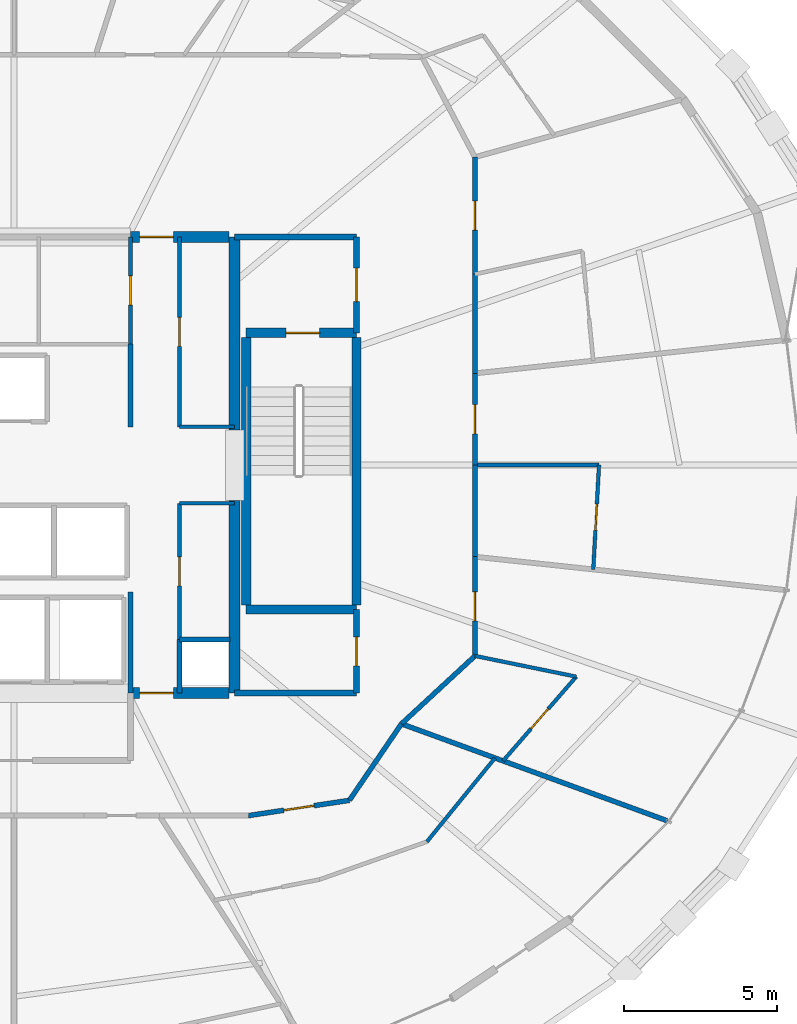
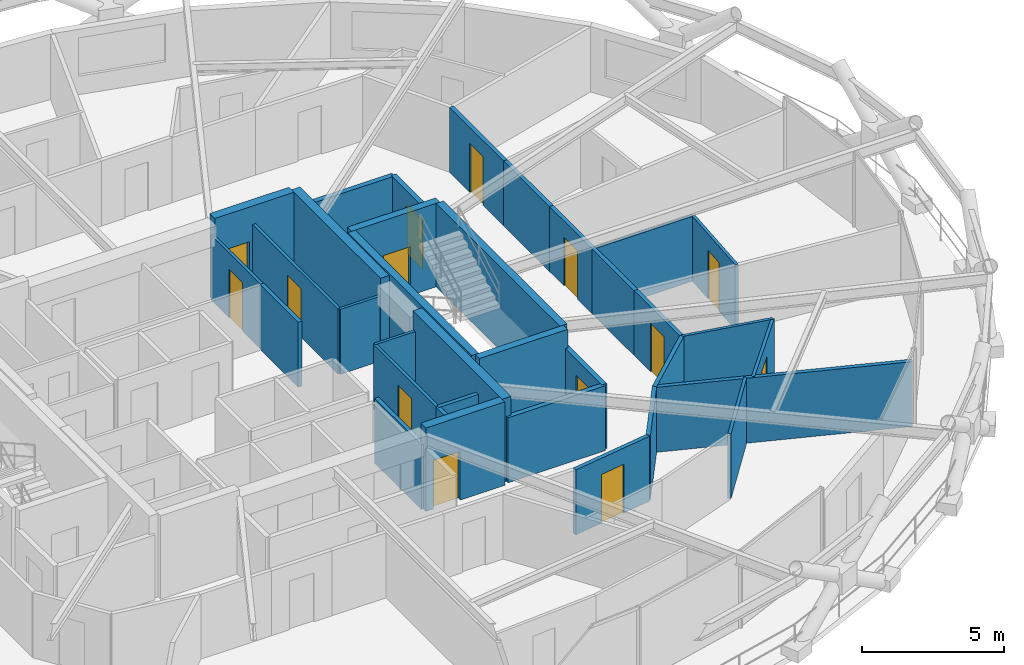
# One storey, part 16 of 19: 35 walls, 14 doors, 14 openings.
"""IFC4 building model written with IfcOpenShell, lengths in metres."""

from ifc_helpers import new_model, si_unit, direction, frame, frame_2d, origin, place, context, subcontext, project, spatial, rectangle, extrude, material, layer, layer_set, type_object, element, fill, save


model = new_model("IFC4")

# Units and contexts
model_context = context("Model", 3, precision=1e-05, world=origin(), true_north=direction((0.0, 1.0)))
body_context = subcontext(model_context, "Body", "Model", "MODEL_VIEW")
ifc_project = project(units=[si_unit("LENGTHUNIT", "METRE"), si_unit("AREAUNIT", "SQUARE_METRE"), si_unit("VOLUMEUNIT", "CUBIC_METRE"), si_unit("PLANEANGLEUNIT", "RADIAN"), si_unit("MASSUNIT", "GRAM", prefix="KILO")], contexts=[model_context])

# Site, building, storey
site_placement = place(None, origin())
site = spatial("IfcSite", under=ifc_project, at=site_placement, CompositionType="ELEMENT")
building_placement = place(site_placement, origin())
building = spatial("IfcBuilding", under=site, at=building_placement, Name="Veldorina Hangang Commons", CompositionType="ELEMENT")
storey_placement = place(building_placement, frame((0.0, 0.0, 156.800048828125)))
storey = spatial("IfcBuildingStorey", under=building, at=storey_placement, Name="L40", CompositionType="ELEMENT", Elevation=156.800048828125)

# Walls
ifc_material_1 = material(Name="Concrete C60/75", Category="concrete")
ifc_layer_1 = layer(ifc_material_1, 0.360107421875)
ifc_layer_set_1 = layer_set([ifc_layer_1], Name="Concrete C60/75")
wall_type_1 = type_object("IfcWallType", Name="CW-RC360-C60", PredefinedType="SHEAR", material=ifc_layer_set_1)
for number, where, z_axis, x_axis, name in (
    (1, (39.199951171875, 16.550048828125, 0.0), (0.0, 0.0, 1.0), (0.0, 1.0, 0.0), "L40 E south core shear wall"),
    (2, (39.199951171875, 25.14990234375, 0.0), (0.0, 0.0, 1.0), (0.0, 1.0, 0.0), "L40 E north core shear wall"),
):
    element("IfcWall", number, at=place(storey_placement, frame(where, z_axis=z_axis, x_axis=x_axis)), inside=storey, type_object=wall_type_1, Name=name, PredefinedType="SHEAR", context=body_context, shape_type="SweptSolid", body=[
        extrude(rectangle(XDim=6.300048828125, YDim=0.360107421875, at=frame_2d((3.14990234375, 0.0))), origin(), (0.0, 0.0, 1.0), 3.599853515625),
    ])

# Wall, opening, door
wall_1_placement = place(storey_placement, frame((35.800048828125, 16.550048828125, 0.0), z_axis=(0.0, 0.0, 1.0), x_axis=(1.0, 0.0, 0.0)))
wall_1 = element("IfcWall", 3, at=wall_1_placement, inside=storey, type_object=wall_type_1, Name="L40 south-east core shear wall", PredefinedType="SHEAR", context=body_context, shape_type="SweptSolid", body=[
    extrude(rectangle(XDim=3.219970703125, YDim=0.360107421875, at=frame_2d((1.60986328125, 0.0))), origin(), (0.0, 0.0, 1.0), 3.599853515625),
])
opening_1_placement = place(wall_1_placement, frame((0.300048828125, 0.0, 0.0)))
opening_1 = element("IfcOpeningElement", 4, at=opening_1_placement, cuts=wall_1, Name="Opening D-08", PredefinedType="OPENING", context=body_context, shape_type="SweptSolid", body=[
    extrude(rectangle(XDim=1.10009765625, YDim=2.10009765625, at=frame_2d((0.550048828125, 1.050048828125))), frame((0.0, 0.18994140625, 0.0), z_axis=(0.0, -1.0, 0.0), x_axis=(1.0, 0.0, 0.0)), (0.0, 0.0, 1.0), 0.380126953125),
])
ifc_material_2 = material(Name="Steel Fire-Rated Smoke Seal", Category="steel")
door_type_1 = type_object("IfcDoorType", Name="DR-FIRE-1100", OperationType="SINGLE_SWING_RIGHT", PredefinedType="DOOR", material=ifc_material_2)
door_1_placement = place(opening_1_placement, origin())
door_1 = element("IfcDoor", 5, at=door_1_placement, inside=storey, type_object=door_type_1, Name="L40 central lift lobby south corridor door", OperationType="SINGLE_SWING_RIGHT", OverallHeight=2.10009765625, OverallWidth=1.10009765625, PredefinedType="DOOR", context=body_context, shape_type="SweptSolid", body=[
    extrude(rectangle(XDim=1.10009765625, YDim=2.10009765625, at=frame_2d((0.550048828125, 1.050048828125))), frame((0.0, 0.02490234375, 0.0), z_axis=(0.0, -1.0, 0.0), x_axis=(1.0, 0.0, 0.0)), (0.0, 0.0, 1.0), 0.050048828125),
])
fill(opening_1, door_1)

wall_2_placement = place(storey_placement, frame((35.800048828125, 31.449951171875, 0.0), z_axis=(0.0, 0.0, 1.0), x_axis=(1.0, 0.0, 0.0)))
wall_2 = element("IfcWall", 6, at=wall_2_placement, inside=storey, type_object=wall_type_1, Name="L40 north-east core shear wall", PredefinedType="SHEAR", context=body_context, shape_type="SweptSolid", body=[
    extrude(rectangle(XDim=3.219970703125, YDim=0.360107421875, at=frame_2d((1.60986328125, 0.0))), origin(), (0.0, 0.0, 1.0), 3.599853515625),
])
opening_2_placement = place(wall_2_placement, frame((0.300048828125, 0.0, 0.0)))
opening_2 = element("IfcOpeningElement", 7, at=opening_2_placement, cuts=wall_2, Name="Opening D-08", PredefinedType="OPENING", context=body_context, shape_type="SweptSolid", body=[
    extrude(rectangle(XDim=1.10009765625, YDim=2.10009765625, at=frame_2d((0.550048828125, 1.050048828125))), frame((0.0, 0.18994140625, 0.0), z_axis=(0.0, -1.0, 0.0), x_axis=(1.0, 0.0, 0.0)), (0.0, 0.0, 1.0), 0.380126953125),
])
door_2_placement = place(opening_2_placement, origin())
door_2 = element("IfcDoor", 8, at=door_2_placement, inside=storey, type_object=door_type_1, Name="L40 central lift lobby north corridor door", OperationType="SINGLE_SWING_LEFT", OverallHeight=2.10009765625, OverallWidth=1.10009765625, PredefinedType="DOOR", context=body_context, shape_type="SweptSolid", body=[
    extrude(rectangle(XDim=1.10009765625, YDim=2.10009765625, at=frame_2d((0.550048828125, 1.050048828125))), frame((0.0, 0.02490234375, 0.0), z_axis=(0.0, -1.0, 0.0), x_axis=(1.0, 0.0, 0.0)), (0.0, 0.0, 1.0), 0.050048828125),
])
fill(opening_2, door_2)

# Walls
ifc_material_3 = material(Name="Concrete C50/60", Category="concrete")
ifc_layer_2 = layer(ifc_material_3, 0.300048828125)
ifc_layer_set_2 = layer_set([ifc_layer_2], Name="Concrete C50/60")
wall_type_2 = type_object("IfcWallType", Name="SW-STAIR-300", PredefinedType="SHEAR", material=ifc_layer_set_2)
for number, where, z_axis, x_axis, name in (
    (9, (43.179931640625, 19.429931640625, 0.0), (0.0, 0.0, 1.0), (0.0, 1.0, 0.0), "L40 ST2 outer stair shear wall"),
    (10, (39.580078125, 19.429931640625, 0.0), (0.0, 0.0, 1.0), (0.0, 1.0, 0.0), "L40 ST2 inner stair shear wall"),
):
    element("IfcWall", number, at=place(storey_placement, frame(where, z_axis=z_axis, x_axis=x_axis)), inside=storey, type_object=wall_type_2, Name=name, PredefinedType="SHEAR", context=body_context, shape_type="SweptSolid", body=[
        extrude(rectangle(XDim=8.739990234375, YDim=0.300048828125, at=frame_2d((4.3701171875, 0.0))), origin(), (0.0, 0.0, 1.0), 3.599853515625),
    ])
wall_3_placement = place(storey_placement, frame((39.580078125, 19.280029296875, 0.0), z_axis=(0.0, 0.0, 1.0), x_axis=(1.0, 0.0, 0.0)))
element("IfcWall", 11, at=wall_3_placement, inside=storey, type_object=wall_type_2, Name="L40 ST2 south stair shear wall", PredefinedType="SHEAR", context=body_context, shape_type="SweptSolid", body=[
    extrude(rectangle(XDim=3.599853515625, YDim=0.300048828125, at=frame_2d((1.7998046875, 0.0))), origin(), (0.0, 0.0, 1.0), 3.599853515625),
])

# Wall, opening, door
wall_4_placement = place(storey_placement, frame((39.580078125, 28.320068359375, 0.0), z_axis=(0.0, 0.0, 1.0), x_axis=(1.0, 0.0, 0.0)))
wall_4 = element("IfcWall", 12, at=wall_4_placement, inside=storey, type_object=wall_type_2, Name="L40 ST2 north stair shear wall", PredefinedType="SHEAR", context=body_context, shape_type="SweptSolid", body=[
    extrude(rectangle(XDim=3.599853515625, YDim=0.300048828125, at=frame_2d((1.7998046875, 0.0))), origin(), (0.0, 0.0, 1.0), 3.599853515625),
])
opening_3_placement = place(wall_4_placement, frame((1.300048828125, 0.0, 0.0)))
opening_3 = element("IfcOpeningElement", 13, at=opening_3_placement, cuts=wall_4, Name="Opening D-08", PredefinedType="OPENING", context=body_context, shape_type="SweptSolid", body=[
    extrude(rectangle(XDim=1.10009765625, YDim=2.10009765625, at=frame_2d((0.550048828125, 1.050048828125))), frame((0.0, 0.16015625, 0.0), z_axis=(0.0, -1.0, 0.0), x_axis=(1.0, 0.0, 0.0)), (0.0, 0.0, 1.0), 0.320068359375),
])
door_3_placement = place(opening_3_placement, origin())
door_3 = element("IfcDoor", 14, at=door_3_placement, inside=storey, type_object=door_type_1, Name="L40 Special Escape Stair ST-2 door", OperationType="SINGLE_SWING_RIGHT", OverallHeight=2.10009765625, OverallWidth=1.10009765625, PredefinedType="DOOR", context=body_context, shape_type="SweptSolid", body=[
    extrude(rectangle(XDim=1.10009765625, YDim=2.10009765625, at=frame_2d((0.550048828125, 1.050048828125))), frame((0.0, 0.02490234375, 0.0), z_axis=(0.0, -1.0, 0.0), x_axis=(1.0, 0.0, 0.0)), (0.0, 0.0, 1.0), 0.050048828125),
])
fill(opening_3, door_3)

# Walls
ifc_material_4 = material(Name="Gypsum Fire-Rated Twin Stud Wall", Category="gypsum")
ifc_layer_3 = layer(ifc_material_4, 0.159912109375)
ifc_layer_set_3 = layer_set([ifc_layer_3], Name="Gypsum Fire-Rated Twin Stud Wall")
wall_type_3 = type_object("IfcWallType", Name="WL-FIRE-160", PredefinedType="SOLIDWALL", material=ifc_layer_set_3)
wall_5_placement = place(storey_placement, frame((35.800048828125, 16.550048828125, 0.0), z_axis=(0.0, 0.0, 1.0), x_axis=(0.0, 1.0, 0.0)))
element("IfcWall", 15, at=wall_5_placement, inside=storey, type_object=wall_type_3, Name="L40 Lift passage SW wall 009", PredefinedType="SOLIDWALL", context=body_context, shape_type="SweptSolid", body=[
    extrude(rectangle(XDim=3.300048828125, YDim=0.159912109375, at=frame_2d((1.64990234375, 0.0))), origin(), (0.0, 0.0, 1.0), 2.800048828125),
])
wall_6_placement = place(storey_placement, frame((37.39990234375, 16.550048828125, 0.0), z_axis=(0.0, 0.0, 1.0), x_axis=(0.0, 1.0, 0.0)))
element("IfcWall", 16, at=wall_6_placement, inside=storey, type_object=wall_type_3, Name="L40 Lift passage SE stub 010", PredefinedType="SOLIDWALL", context=body_context, shape_type="SweptSolid", body=[
    extrude(rectangle(XDim=1.75, YDim=0.159912109375, at=frame_2d((0.875, 0.0))), origin(), (0.0, 0.0, 1.0), 2.800048828125),
])
wall_7_placement = place(storey_placement, frame((35.800048828125, 25.25, 0.0), z_axis=(0.0, 0.0, 1.0), x_axis=(0.0, 1.0, 0.0)))
element("IfcWall", 17, at=wall_7_placement, inside=storey, type_object=wall_type_3, Name="L40 Lift passage NW lower wall 011", PredefinedType="SOLIDWALL", context=body_context, shape_type="SweptSolid", body=[
    extrude(rectangle(XDim=2.699951171875, YDim=0.159912109375, at=frame_2d((1.35009765625, 0.0))), origin(), (0.0, 0.0, 1.0), 2.800048828125),
])
wall_8_placement = place(storey_placement, frame((37.39990234375, 18.300048828125, 0.0), z_axis=(0.0, 0.0, 1.0), x_axis=(1.0, 0.0, 0.0)))
element("IfcWall", 18, at=wall_8_placement, inside=storey, type_object=wall_type_3, Name="L40 Plumbing riser wall 037", PredefinedType="SOLIDWALL", context=body_context, shape_type="SweptSolid", body=[
    extrude(rectangle(XDim=1.650146484375, YDim=0.159912109375, at=frame_2d((0.8251953125, 0.0))), origin(), (0.0, 0.0, 1.0), 2.800048828125),
])

# Wall, opening, door
wall_9_placement = place(storey_placement, frame((47.050048828125, 24.0, 0.0), z_axis=(0.0, 0.0, 1.0), x_axis=(0.0, 1.0, 0.0)))
wall_9 = element("IfcWall", 19, at=wall_9_placement, inside=storey, type_object=wall_type_3, Name="L40 U-corridor outer wall 00 048", PredefinedType="SOLIDWALL", context=body_context, shape_type="SweptSolid", body=[
    extrude(rectangle(XDim=2.99365234375, YDim=0.159912109375, at=frame_2d((1.496826171875, 0.0))), origin(), (0.0, 0.0, 1.0), 2.800048828125),
])
opening_4_placement = place(wall_9_placement, frame((1.021728515625, 0.0, 0.0)))
opening_4 = element("IfcOpeningElement", 20, at=opening_4_placement, cuts=wall_9, Name="Opening D-03", PredefinedType="OPENING", context=body_context, shape_type="SweptSolid", body=[
    extrude(rectangle(XDim=0.949951171875, YDim=2.10009765625, at=frame_2d((0.47509765625, 1.050048828125))), frame((0.0, 0.08984375, 0.0), z_axis=(0.0, -1.0, 0.0), x_axis=(1.0, 0.0, 0.0)), (0.0, 0.0, 1.0), 0.179931640625),
])
ifc_material_5 = material(Name="Timber Fire-Rated Entrance Core", Category="wood")
door_type_2 = type_object("IfcDoorType", Name="DR-UNIT-950", OperationType="SINGLE_SWING_RIGHT", PredefinedType="DOOR", material=ifc_material_5)
door_4_placement = place(opening_4_placement, origin())
door_4 = element("IfcDoor", 21, at=door_4_placement, inside=storey, type_object=door_type_2, Name="L40 Studio 3 entrance door 025", OperationType="SINGLE_SWING_LEFT", OverallHeight=2.10009765625, OverallWidth=0.949951171875, PredefinedType="DOOR", context=body_context, shape_type="SweptSolid", body=[
    extrude(rectangle(XDim=0.949951171875, YDim=2.10009765625, at=frame_2d((0.47509765625, 1.050048828125))), frame((0.0, 0.02490234375, 0.0), z_axis=(0.0, -1.0, 0.0), x_axis=(1.0, 0.0, 0.0)), (0.0, 0.0, 1.0), 0.050048828125),
])
fill(opening_4, door_4)

# Wall
wall_10_placement = place(storey_placement, frame((47.050048828125, 26.99365234375, 0.0), z_axis=(0.0, 0.0, 1.0), x_axis=(0.0, 1.0, 0.0)))
element("IfcWall", 22, at=wall_10_placement, inside=storey, type_object=wall_type_3, Name="L40 U-corridor outer wall 01 049", PredefinedType="SOLIDWALL", context=body_context, shape_type="SweptSolid", body=[
    extrude(rectangle(XDim=3.240234375, YDim=0.159912109375, at=frame_2d((1.6201171875, 0.0))), origin(), (0.0, 0.0, 1.0), 2.800048828125),
])

# Wall, opening, door
wall_11_placement = place(storey_placement, frame((47.050048828125, 30.23388671875, 0.0), z_axis=(0.0, 0.0, 1.0), x_axis=(0.0, 1.0, 0.0)))
wall_11 = element("IfcWall", 23, at=wall_11_placement, inside=storey, type_object=wall_type_3, Name="L40 U-corridor outer wall 02 050", PredefinedType="SOLIDWALL", context=body_context, shape_type="SweptSolid", body=[
    extrude(rectangle(XDim=3.822265625, YDim=0.159912109375, at=frame_2d((1.9111328125, 0.0))), origin(), (0.0, 0.0, 1.0), 2.800048828125),
])
opening_5_placement = place(wall_11_placement, frame((1.43603515625, 0.0, 0.0)))
opening_5 = element("IfcOpeningElement", 24, at=opening_5_placement, cuts=wall_11, Name="Opening D-03", PredefinedType="OPENING", context=body_context, shape_type="SweptSolid", body=[
    extrude(rectangle(XDim=0.949951171875, YDim=2.10009765625, at=frame_2d((0.47509765625, 1.050048828125))), frame((0.0, 0.08984375, 0.0), z_axis=(0.0, -1.0, 0.0), x_axis=(1.0, 0.0, 0.0)), (0.0, 0.0, 1.0), 0.179931640625),
])
door_5_placement = place(opening_5_placement, origin())
door_5 = element("IfcDoor", 25, at=door_5_placement, inside=storey, type_object=door_type_2, Name="L40 Studio 4 entrance door 027", OperationType="SINGLE_SWING_LEFT", OverallHeight=2.10009765625, OverallWidth=0.949951171875, PredefinedType="DOOR", context=body_context, shape_type="SweptSolid", body=[
    extrude(rectangle(XDim=0.949951171875, YDim=2.10009765625, at=frame_2d((0.47509765625, 1.050048828125))), frame((0.0, 0.02490234375, 0.0), z_axis=(0.0, -1.0, 0.0), x_axis=(1.0, 0.0, 0.0)), (0.0, 0.0, 1.0), 0.050048828125),
])
fill(opening_5, door_5)

wall_12_placement = place(storey_placement, frame((39.650634765625, 12.550048828125, 0.0), z_axis=(0.0, 0.0, 1.0), x_axis=(0.988710906508, 0.149835721217, 0.0)))
wall_12 = element("IfcWall", 26, at=wall_12_placement, inside=storey, type_object=wall_type_3, Name="L40 U-corridor outer wall 27 075", PredefinedType="SOLIDWALL", context=body_context, shape_type="SweptSolid", body=[
    extrude(rectangle(XDim=3.3369140625, YDim=0.159912109375, at=frame_2d((1.66845703125, 0.0))), origin(), (0.0, 0.0, 1.0), 2.800048828125),
])
opening_6_placement = place(wall_12_placement, frame((1.16845703125, 0.0, 0.0)))
opening_6 = element("IfcOpeningElement", 27, at=opening_6_placement, cuts=wall_12, Name="Opening D-05", PredefinedType="OPENING", context=body_context, shape_type="SweptSolid", body=[
    extrude(rectangle(XDim=1.0, YDim=2.10009765625, at=frame_2d((0.5, 1.050048828125))), frame((0.0, 0.08984375, 0.0), z_axis=(0.0, -1.0, 0.0), x_axis=(1.0, 0.0, 0.0)), (0.0, 0.0, 1.0), 0.179931640625),
])
ifc_material_6 = material(Name="Timber Solid Core Acoustic", Category="wood")
door_type_3 = type_object("IfcDoorType", Name="DR-INT-1000", OperationType="SINGLE_SWING_RIGHT", PredefinedType="DOOR", material=ifc_material_6)
door_6_placement = place(opening_6_placement, origin())
door_6 = element("IfcDoor", 28, at=door_6_placement, inside=storey, type_object=door_type_3, Name="L40 Commons alcove door 020", OperationType="SINGLE_SWING_RIGHT", OverallHeight=2.10009765625, OverallWidth=1.0, PredefinedType="DOOR", context=body_context, shape_type="SweptSolid", body=[
    extrude(rectangle(XDim=1.0, YDim=2.10009765625, at=frame_2d((0.5, 1.050048828125))), frame((0.0, 0.02490234375, 0.0), z_axis=(0.0, -1.0, 0.0), x_axis=(1.0, 0.0, 0.0)), (0.0, 0.0, 1.0), 0.050048828125),
])
fill(opening_6, door_6)

# Walls
wall_13_placement = place(storey_placement, frame((42.949951171875, 13.050048828125, 0.0), z_axis=(0.0, 0.0, 1.0), x_axis=(0.562674669208, 0.826678423955, 0.0)))
element("IfcWall", 29, at=wall_13_placement, inside=storey, type_object=wall_type_3, Name="L40 U-corridor outer wall 28 076", PredefinedType="SOLIDWALL", context=body_context, shape_type="SweptSolid", body=[
    extrude(rectangle(XDim=3.021240234375, YDim=0.159912109375, at=frame_2d((1.5107421875, 0.0))), origin(), (0.0, 0.0, 1.0), 2.800048828125),
])
wall_14_placement = place(storey_placement, frame((44.64990234375, 15.547607421875, 0.0), z_axis=(0.0, 0.0, 1.0), x_axis=(0.734347936521, 0.678773237633, 0.0)))
element("IfcWall", 30, at=wall_14_placement, inside=storey, type_object=wall_type_3, Name="L40 U-corridor outer wall 29 077", PredefinedType="SOLIDWALL", context=body_context, shape_type="SweptSolid", body=[
    extrude(rectangle(XDim=3.268310546875, YDim=0.159912109375, at=frame_2d((1.63427734375, 0.0))), origin(), (0.0, 0.0, 1.0), 2.800048828125),
])

# Wall, opening, door
wall_15_placement = place(storey_placement, frame((47.050048828125, 17.76611328125, 0.0), z_axis=(0.0, 0.0, 1.0), x_axis=(0.0, 1.0, 0.0)))
wall_15 = element("IfcWall", 31, at=wall_15_placement, inside=storey, type_object=wall_type_3, Name="L40 U-corridor outer wall 30 078", PredefinedType="SOLIDWALL", context=body_context, shape_type="SweptSolid", body=[
    extrude(rectangle(XDim=3.240234375, YDim=0.159912109375, at=frame_2d((1.6201171875, 0.0))), origin(), (0.0, 0.0, 1.0), 2.800048828125),
])
opening_7_placement = place(wall_15_placement, frame((1.145263671875, 0.0, 0.0)))
opening_7 = element("IfcOpeningElement", 32, at=opening_7_placement, cuts=wall_15, Name="Opening D-03", PredefinedType="OPENING", context=body_context, shape_type="SweptSolid", body=[
    extrude(rectangle(XDim=0.949951171875, YDim=2.10009765625, at=frame_2d((0.47509765625, 1.050048828125))), frame((0.0, 0.08984375, 0.0), z_axis=(0.0, -1.0, 0.0), x_axis=(1.0, 0.0, 0.0)), (0.0, 0.0, 1.0), 0.179931640625),
])
door_7_placement = place(opening_7_placement, origin())
door_7 = element("IfcDoor", 33, at=door_7_placement, inside=storey, type_object=door_type_2, Name="L40 Studio 2 entrance door 023", OperationType="SINGLE_SWING_LEFT", OverallHeight=2.10009765625, OverallWidth=0.949951171875, PredefinedType="DOOR", context=body_context, shape_type="SweptSolid", body=[
    extrude(rectangle(XDim=0.949951171875, YDim=2.10009765625, at=frame_2d((0.47509765625, 1.050048828125))), frame((0.0, 0.02490234375, 0.0), z_axis=(0.0, -1.0, 0.0), x_axis=(1.0, 0.0, 0.0)), (0.0, 0.0, 1.0), 0.050048828125),
])
fill(opening_7, door_7)

# Walls
wall_16_placement = place(storey_placement, frame((47.050048828125, 21.00634765625, 0.0), z_axis=(0.0, 0.0, 1.0), x_axis=(0.0, 1.0, 0.0)))
element("IfcWall", 34, at=wall_16_placement, inside=storey, type_object=wall_type_3, Name="L40 U-corridor outer wall 31 079", PredefinedType="SOLIDWALL", context=body_context, shape_type="SweptSolid", body=[
    extrude(rectangle(XDim=2.99365234375, YDim=0.159912109375, at=frame_2d((1.496826171875, 0.0))), origin(), (0.0, 0.0, 1.0), 2.800048828125),
])
wall_17_placement = place(storey_placement, frame((44.64990234375, 15.547607421875, 0.0), z_axis=(0.0, 0.0, 1.0), x_axis=(0.939495403678, -0.342561507568, 0.0)))
element("IfcWall", 35, at=wall_17_placement, inside=storey, type_object=wall_type_3, Name="L40 Unit party wall 29 084", PredefinedType="SOLIDWALL", context=body_context, shape_type="SweptSolid", body=[
    extrude(rectangle(XDim=9.24365234375, YDim=0.159912109375, at=frame_2d((4.621826171875, 0.0))), origin(), (0.0, 0.0, 1.0), 2.800048828125),
])

# Wall, opening, door
ifc_material_7 = material(Name="Concrete Blockwork Fire Wall C30/37", Category="masonry")
ifc_layer_4 = layer(ifc_material_7, 0.199951171875)
ifc_layer_set_4 = layer_set([ifc_layer_4], Name="Concrete Blockwork Fire Wall C30/37")
wall_type_4 = type_object("IfcWallType", Name="WL-FIRE-200", PredefinedType="SOLIDWALL", material=ifc_layer_set_4)
wall_18_placement = place(storey_placement, frame((43.179931640625, 28.320068359375, 0.0), z_axis=(0.0, 0.0, 1.0), x_axis=(0.0, 1.0, 0.0)))
wall_18 = element("IfcWall", 36, at=wall_18_placement, inside=storey, type_object=wall_type_4, Name="L40 East vestibule outer wall 003", PredefinedType="SOLIDWALL", context=body_context, shape_type="SweptSolid", body=[
    extrude(rectangle(XDim=3.1298828125, YDim=0.199951171875, at=frame_2d((1.56494140625, 0.0))), origin(), (0.0, 0.0, 1.0), 2.800048828125),
])
opening_8_placement = place(wall_18_placement, frame((1.014892578125, 0.0, 0.0)))
opening_8 = element("IfcOpeningElement", 37, at=opening_8_placement, cuts=wall_18, Name="Opening D-08", PredefinedType="OPENING", context=body_context, shape_type="SweptSolid", body=[
    extrude(rectangle(XDim=1.10009765625, YDim=2.10009765625, at=frame_2d((0.550048828125, 1.050048828125))), frame((0.0, 0.10986328125, 0.0), z_axis=(0.0, -1.0, 0.0), x_axis=(1.0, 0.0, 0.0)), (0.0, 0.0, 1.0), 0.219970703125),
])
door_8_placement = place(opening_8_placement, origin())
door_8 = element("IfcDoor", 38, at=door_8_placement, inside=storey, type_object=door_type_1, Name="L40 East vestibule east door 002", OperationType="SINGLE_SWING_RIGHT", OverallHeight=2.10009765625, OverallWidth=1.10009765625, PredefinedType="DOOR", context=body_context, shape_type="SweptSolid", body=[
    extrude(rectangle(XDim=1.10009765625, YDim=2.10009765625, at=frame_2d((0.550048828125, 1.050048828125))), frame((0.0, 0.02490234375, 0.0), z_axis=(0.0, -1.0, 0.0), x_axis=(1.0, 0.0, 0.0)), (0.0, 0.0, 1.0), 0.050048828125),
])
fill(opening_8, door_8)

# Wall
wall_19_placement = place(storey_placement, frame((39.199951171875, 31.449951171875, 0.0), z_axis=(0.0, 0.0, 1.0), x_axis=(1.0, 0.0, 0.0)))
element("IfcWall", 39, at=wall_19_placement, inside=storey, type_object=wall_type_4, Name="L40 East vestibule north wall 004", PredefinedType="SOLIDWALL", context=body_context, shape_type="SweptSolid", body=[
    extrude(rectangle(XDim=3.97998046875, YDim=0.199951171875, at=frame_2d((1.989990234375, 0.0))), origin(), (0.0, 0.0, 1.0), 2.800048828125),
])

# Wall, opening, door
wall_20_placement = place(storey_placement, frame((43.179931640625, 16.550048828125, 0.0), z_axis=(0.0, 0.0, 1.0), x_axis=(0.0, 1.0, 0.0)))
wall_20 = element("IfcWall", 40, at=wall_20_placement, inside=storey, type_object=wall_type_4, Name="L40 SE core room outer wall 007", PredefinedType="SOLIDWALL", context=body_context, shape_type="SweptSolid", body=[
    extrude(rectangle(XDim=2.72998046875, YDim=0.199951171875, at=frame_2d((1.364990234375, 0.0))), origin(), (0.0, 0.0, 1.0), 2.800048828125),
])
opening_9_placement = place(wall_20_placement, frame((0.889892578125, 0.0, 0.0)))
opening_9 = element("IfcOpeningElement", 41, at=opening_9_placement, cuts=wall_20, Name="Opening D-02", PredefinedType="OPENING", context=body_context, shape_type="SweptSolid", body=[
    extrude(rectangle(XDim=0.949951171875, YDim=2.10009765625, at=frame_2d((0.47509765625, 1.050048828125))), frame((0.0, 0.10986328125, 0.0), z_axis=(0.0, -1.0, 0.0), x_axis=(1.0, 0.0, 0.0)), (0.0, 0.0, 1.0), 0.219970703125),
])
door_type_4 = type_object("IfcDoorType", Name="DR-INT-950", OperationType="SINGLE_SWING_LEFT", PredefinedType="DOOR", material=ifc_material_6)
door_9_placement = place(opening_9_placement, origin())
door_9 = element("IfcDoor", 42, at=door_9_placement, inside=storey, type_object=door_type_4, Name="L40 SE core WC door 004", OperationType="SINGLE_SWING_RIGHT", OverallHeight=2.10009765625, OverallWidth=0.949951171875, PredefinedType="DOOR", context=body_context, shape_type="SweptSolid", body=[
    extrude(rectangle(XDim=0.949951171875, YDim=2.10009765625, at=frame_2d((0.47509765625, 1.050048828125))), frame((0.0, 0.02490234375, 0.0), z_axis=(0.0, -1.0, 0.0), x_axis=(1.0, 0.0, 0.0)), (0.0, 0.0, 1.0), 0.050048828125),
])
fill(opening_9, door_9)

# Wall
wall_21_placement = place(storey_placement, frame((39.199951171875, 16.550048828125, 0.0), z_axis=(0.0, 0.0, 1.0), x_axis=(1.0, 0.0, 0.0)))
element("IfcWall", 43, at=wall_21_placement, inside=storey, type_object=wall_type_4, Name="L40 SE core room south wall 008", PredefinedType="SOLIDWALL", context=body_context, shape_type="SweptSolid", body=[
    extrude(rectangle(XDim=3.97998046875, YDim=0.199951171875, at=frame_2d((1.989990234375, 0.0))), origin(), (0.0, 0.0, 1.0), 2.800048828125),
])

# Wall, opening, door
ifc_material_8 = material(Name="Gypsum Acoustic Stud Partition", Category="gypsum")
ifc_layer_5 = layer(ifc_material_8, 0.1201171875)
ifc_layer_set_5 = layer_set([ifc_layer_5], Name="Gypsum Acoustic Stud Partition")
wall_type_5 = type_object("IfcWallType", Name="WL-PART-120", PredefinedType="PARTITIONING", material=ifc_layer_set_5)
wall_22_placement = place(storey_placement, frame((35.800048828125, 27.949951171875, 0.0), z_axis=(0.0, 0.0, 1.0), x_axis=(0.0, 1.0, 0.0)))
wall_22 = element("IfcWall", 44, at=wall_22_placement, inside=storey, type_object=wall_type_5, Name="L40 Merged north east wall 033", PredefinedType="PARTITIONING", context=body_context, shape_type="SweptSolid", body=[
    extrude(rectangle(XDim=3.5, YDim=0.1201171875, at=frame_2d((1.75, 0.0))), origin(), (0.0, 0.0, 1.0), 2.800048828125),
])
opening_10_placement = place(wall_22_placement, frame((1.27490234375, 0.0, 0.0)))
opening_10 = element("IfcOpeningElement", 45, at=opening_10_placement, cuts=wall_22, Name="Opening D-02", PredefinedType="OPENING", context=body_context, shape_type="SweptSolid", body=[
    extrude(rectangle(XDim=0.949951171875, YDim=2.10009765625, at=frame_2d((0.47509765625, 1.050048828125))), frame((0.0, 0.070068359375, 0.0), z_axis=(0.0, -1.0, 0.0), x_axis=(1.0, 0.0, 0.0)), (0.0, 0.0, 1.0), 0.14013671875),
])
door_10_placement = place(opening_10_placement, origin())
door_10 = element("IfcDoor", 46, at=door_10_placement, inside=storey, type_object=door_type_4, Name="L40 Core linen store door 012", OperationType="SINGLE_SWING_RIGHT", OverallHeight=2.10009765625, OverallWidth=0.949951171875, PredefinedType="DOOR", context=body_context, shape_type="SweptSolid", body=[
    extrude(rectangle(XDim=0.949951171875, YDim=2.10009765625, at=frame_2d((0.47509765625, 1.050048828125))), frame((0.0, 0.02490234375, 0.0), z_axis=(0.0, -1.0, 0.0), x_axis=(1.0, 0.0, 0.0)), (0.0, 0.0, 1.0), 0.050048828125),
])
fill(opening_10, door_10)

wall_23_placement = place(storey_placement, frame((37.39990234375, 25.25, 0.0), z_axis=(0.0, 0.0, 1.0), x_axis=(0.0, 1.0, 0.0)))
wall_23 = element("IfcWall", 47, at=wall_23_placement, inside=storey, type_object=wall_type_5, Name="L40 NE strip lobby wall 041", PredefinedType="PARTITIONING", context=body_context, shape_type="SweptSolid", body=[
    extrude(rectangle(XDim=6.199951171875, YDim=0.1201171875, at=frame_2d((3.10009765625, 0.0))), origin(), (0.0, 0.0, 1.0), 2.800048828125),
])
opening_11_placement = place(wall_23_placement, frame((2.625, 0.0, 0.0)))
opening_11 = element("IfcOpeningElement", 48, at=opening_11_placement, cuts=wall_23, Name="Opening D-02", PredefinedType="OPENING", context=body_context, shape_type="SweptSolid", body=[
    extrude(rectangle(XDim=0.949951171875, YDim=2.10009765625, at=frame_2d((0.47509765625, 1.050048828125))), frame((0.0, 0.070068359375, 0.0), z_axis=(0.0, -1.0, 0.0), x_axis=(1.0, 0.0, 0.0)), (0.0, 0.0, 1.0), 0.14013671875),
])
door_11_placement = place(opening_11_placement, origin())
door_11 = element("IfcDoor", 49, at=door_11_placement, inside=storey, type_object=door_type_4, Name="L40 Switchboard door 018", OperationType="SINGLE_SWING_RIGHT", OverallHeight=2.10009765625, OverallWidth=0.949951171875, PredefinedType="DOOR", context=body_context, shape_type="SweptSolid", body=[
    extrude(rectangle(XDim=0.949951171875, YDim=2.10009765625, at=frame_2d((0.47509765625, 1.050048828125))), frame((0.0, 0.02490234375, 0.0), z_axis=(0.0, -1.0, 0.0), x_axis=(1.0, 0.0, 0.0)), (0.0, 0.0, 1.0), 0.050048828125),
])
fill(opening_11, door_11)

# Wall
wall_24_placement = place(storey_placement, frame((37.39990234375, 25.25, 0.0), z_axis=(0.0, 0.0, 1.0), x_axis=(1.0, 0.0, 0.0)))
element("IfcWall", 50, at=wall_24_placement, inside=storey, type_object=wall_type_5, Name="L40 NE strip south return wall 042", PredefinedType="PARTITIONING", context=body_context, shape_type="SweptSolid", body=[
    extrude(rectangle(XDim=1.800048828125, YDim=0.1201171875, at=frame_2d((0.89990234375, 0.0))), origin(), (0.0, 0.0, 1.0), 2.800048828125),
])

# Wall, opening, door
wall_25_placement = place(storey_placement, frame((37.39990234375, 18.300048828125, 0.0), z_axis=(0.0, 0.0, 1.0), x_axis=(0.0, 1.0, 0.0)))
wall_25 = element("IfcWall", 51, at=wall_25_placement, inside=storey, type_object=wall_type_5, Name="L40 SE strip lobby wall 043", PredefinedType="PARTITIONING", context=body_context, shape_type="SweptSolid", body=[
    extrude(rectangle(XDim=4.449951171875, YDim=0.1201171875, at=frame_2d((2.22509765625, 0.0))), origin(), (0.0, 0.0, 1.0), 2.800048828125),
])
opening_12_placement = place(wall_25_placement, frame((1.75, 0.0, 0.0)))
opening_12 = element("IfcOpeningElement", 52, at=opening_12_placement, cuts=wall_25, Name="Opening D-02", PredefinedType="OPENING", context=body_context, shape_type="SweptSolid", body=[
    extrude(rectangle(XDim=0.949951171875, YDim=2.10009765625, at=frame_2d((0.47509765625, 1.050048828125))), frame((0.0, 0.070068359375, 0.0), z_axis=(0.0, -1.0, 0.0), x_axis=(1.0, 0.0, 0.0)), (0.0, 0.0, 1.0), 0.14013671875),
])
door_12_placement = place(opening_12_placement, origin())
door_12 = element("IfcDoor", 53, at=door_12_placement, inside=storey, type_object=door_type_4, Name="L40 Telemetry door 019", OperationType="SINGLE_SWING_LEFT", OverallHeight=2.10009765625, OverallWidth=0.949951171875, PredefinedType="DOOR", context=body_context, shape_type="SweptSolid", body=[
    extrude(rectangle(XDim=0.949951171875, YDim=2.10009765625, at=frame_2d((0.47509765625, 1.050048828125))), frame((0.0, 0.02490234375, 0.0), z_axis=(0.0, -1.0, 0.0), x_axis=(1.0, 0.0, 0.0)), (0.0, 0.0, 1.0), 0.050048828125),
])
fill(opening_12, door_12)

# Walls
wall_26_placement = place(storey_placement, frame((37.39990234375, 22.75, 0.0), z_axis=(0.0, 0.0, 1.0), x_axis=(1.0, 0.0, 0.0)))
element("IfcWall", 54, at=wall_26_placement, inside=storey, type_object=wall_type_5, Name="L40 SE strip north return wall 044", PredefinedType="PARTITIONING", context=body_context, shape_type="SweptSolid", body=[
    extrude(rectangle(XDim=1.800048828125, YDim=0.1201171875, at=frame_2d((0.89990234375, 0.0))), origin(), (0.0, 0.0, 1.0), 2.800048828125),
])
wall_27_placement = place(storey_placement, frame((45.481689453125, 11.698974609375, 0.0), z_axis=(0.0, 0.0, 1.0), x_axis=(0.631043665678, 0.775747311957, 0.0)))
element("IfcWall", 55, at=wall_27_placement, inside=storey, type_object=wall_type_5, Name="L40 Lounge alcove split 2 083", PredefinedType="PARTITIONING", context=body_context, shape_type="SweptSolid", body=[
    extrude(rectangle(XDim=3.5244140625, YDim=0.1201171875, at=frame_2d((1.76220703125, 0.0))), origin(), (0.0, 0.0, 1.0), 2.800048828125),
])

# Wall, opening, door
wall_28_placement = place(storey_placement, frame((47.968017578125, 14.337646484375, 0.0), z_axis=(0.0, 0.0, 1.0), x_axis=(0.655911700686, 0.754837625522, 0.0)))
wall_28 = element("IfcWall", 56, at=wall_28_placement, inside=storey, type_object=wall_type_5, Name="L40 Studio 2 bath front wall 085", PredefinedType="PARTITIONING", context=body_context, shape_type="SweptSolid", body=[
    extrude(rectangle(XDim=3.64501953125, YDim=0.1201171875, at=frame_2d((1.822509765625, 0.0))), origin(), (0.0, 0.0, 1.0), 2.800048828125),
])
opening_13_placement = place(wall_28_placement, frame((1.392578125, 0.0, 0.0)))
opening_13 = element("IfcOpeningElement", 57, at=opening_13_placement, cuts=wall_28, Name="Opening D-01", PredefinedType="OPENING", context=body_context, shape_type="SweptSolid", body=[
    extrude(rectangle(XDim=0.860107421875, YDim=2.10009765625, at=frame_2d((0.43017578125, 1.050048828125))), frame((0.0, 0.070068359375, 0.0), z_axis=(0.0, -1.0, 0.0), x_axis=(1.0, 0.0, 0.0)), (0.0, 0.0, 1.0), 0.14013671875),
])
ifc_material_9 = material(Name="Timber Moisture-Resistant Core", Category="wood")
door_type_5 = type_object("IfcDoorType", Name="DR-WET-860", OperationType="SINGLE_SWING_LEFT", PredefinedType="DOOR", material=ifc_material_9)
door_13_placement = place(opening_13_placement, origin())
door_13 = element("IfcDoor", 58, at=door_13_placement, inside=storey, type_object=door_type_5, Name="L40 Studio 2 bathroom door 022", OperationType="SINGLE_SWING_RIGHT", OverallHeight=2.10009765625, OverallWidth=0.860107421875, PredefinedType="DOOR", context=body_context, shape_type="SweptSolid", body=[
    extrude(rectangle(XDim=0.860107421875, YDim=2.10009765625, at=frame_2d((0.43017578125, 1.050048828125))), frame((0.0, 0.02490234375, 0.0), z_axis=(0.0, -1.0, 0.0), x_axis=(1.0, 0.0, 0.0)), (0.0, 0.0, 1.0), 0.050048828125),
])
fill(opening_13, door_13)

# Wall
wall_29_placement = place(storey_placement, frame((47.050048828125, 17.76611328125, 0.0), z_axis=(0.0, 0.0, 1.0), x_axis=(0.979703641508, -0.200451427573, 0.0)))
element("IfcWall", 59, at=wall_29_placement, inside=storey, type_object=wall_type_5, Name="L40 Studio 2 bath side wall 086", PredefinedType="PARTITIONING", context=body_context, shape_type="SweptSolid", body=[
    extrude(rectangle(XDim=3.37744140625, YDim=0.1201171875, at=frame_2d((1.688720703125, 0.0))), origin(), (0.0, 0.0, 1.0), 2.800048828125),
])

# Wall, opening, door
wall_30_placement = place(storey_placement, frame((50.914794921875, 20.59130859375, 0.0), z_axis=(0.0, 0.0, 1.0), x_axis=(0.055066014274, 0.998482715961, 0.0)))
wall_30 = element("IfcWall", 60, at=wall_30_placement, inside=storey, type_object=wall_type_5, Name="L40 Studio 3 bath front wall 088", PredefinedType="PARTITIONING", context=body_context, shape_type="SweptSolid", body=[
    extrude(rectangle(XDim=3.413818359375, YDim=0.1201171875, at=frame_2d((1.70703125, 0.0))), origin(), (0.0, 0.0, 1.0), 2.800048828125),
])
opening_14_placement = place(wall_30_placement, frame((1.277099609375, 0.0, 0.0)))
opening_14 = element("IfcOpeningElement", 61, at=opening_14_placement, cuts=wall_30, Name="Opening D-01", PredefinedType="OPENING", context=body_context, shape_type="SweptSolid", body=[
    extrude(rectangle(XDim=0.860107421875, YDim=2.10009765625, at=frame_2d((0.43017578125, 1.050048828125))), frame((0.0, 0.070068359375, 0.0), z_axis=(0.0, -1.0, 0.0), x_axis=(1.0, 0.0, 0.0)), (0.0, 0.0, 1.0), 0.14013671875),
])
door_14_placement = place(opening_14_placement, origin())
door_14 = element("IfcDoor", 62, at=door_14_placement, inside=storey, type_object=door_type_5, Name="L40 Studio 3 bathroom door 024", OperationType="SINGLE_SWING_RIGHT", OverallHeight=2.10009765625, OverallWidth=0.860107421875, PredefinedType="DOOR", context=body_context, shape_type="SweptSolid", body=[
    extrude(rectangle(XDim=0.860107421875, YDim=2.10009765625, at=frame_2d((0.43017578125, 1.050048828125))), frame((0.0, 0.02490234375, 0.0), z_axis=(0.0, -1.0, 0.0), x_axis=(1.0, 0.0, 0.0)), (0.0, 0.0, 1.0), 0.050048828125),
])
fill(opening_14, door_14)

# Wall
wall_31_placement = place(storey_placement, frame((47.050048828125, 24.0, 0.0), z_axis=(0.0, 0.0, 1.0), x_axis=(1.0, 0.0, 0.0)))
element("IfcWall", 63, at=wall_31_placement, inside=storey, type_object=wall_type_5, Name="L40 Studio 3 bath side wall 089", PredefinedType="PARTITIONING", context=body_context, shape_type="SweptSolid", body=[
    extrude(rectangle(XDim=4.052734375, YDim=0.1201171875, at=frame_2d((2.0263671875, 0.0))), origin(), (0.0, 0.0, 1.0), 2.800048828125),
])

save(model, "model.ifc")
